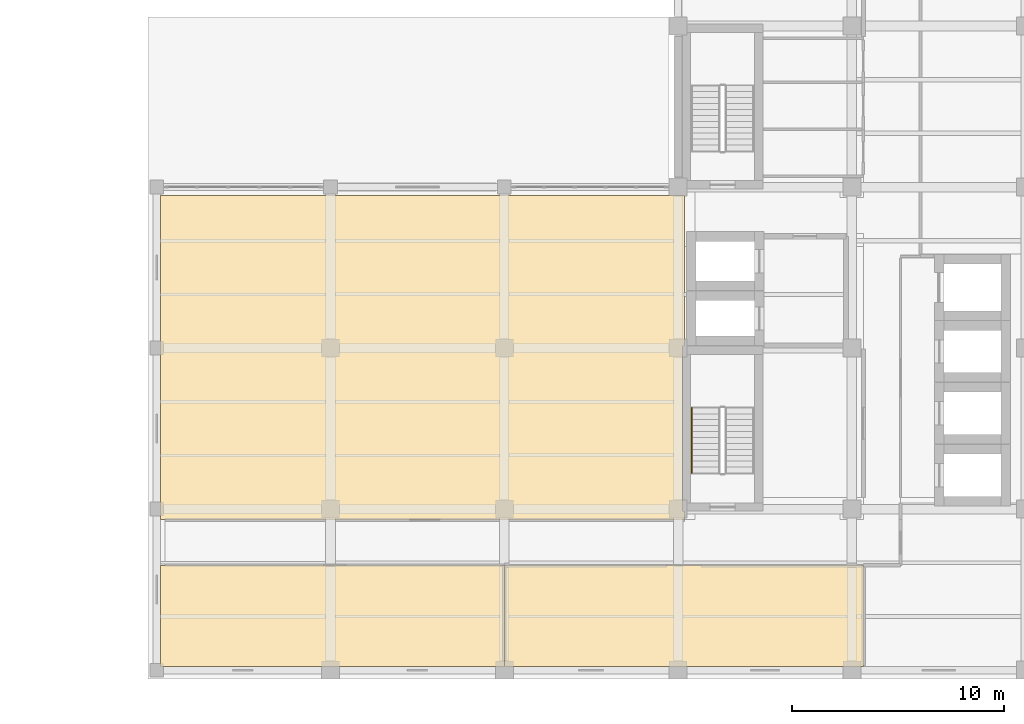
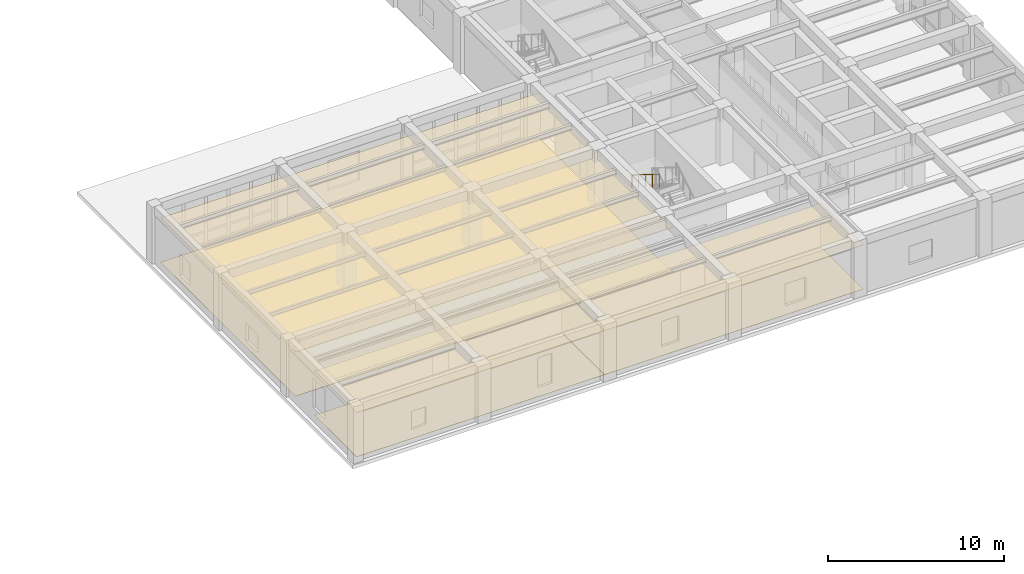
# One storey, part 17 of 22: 6 coverings, 1 railing.
"""IFC4 building model written with IfcOpenShell, lengths in metres."""

import ifcopenshell
import ifcopenshell.guid

model = None  # the IFC model being written
_history = None  # IfcOwnerHistory: only IFC2X3 demands one
_inside = {}  # id of a spatial element -> (the spatial element, [elements in it])
_under = {}  # id of a project, library or spatial element -> (it, [spatial elements below it])
_declared = {}  # id of a project -> (the project, [libraries it declares])
_typed = {}  # id of a type object -> (the type object, [elements of that type])
_made_of = {}  # id of a material, layer set ... -> (it, [elements and type objects made of it])


def new_model(schema):
    """Start an empty IFC model of exactly this schema.

    Asked for "IFC4X3", IfcOpenShell would pick the latest addendum, in which some entities
    have other attributes; the version numbers below select the first issue.
    IFC2X3 requires an IfcOwnerHistory on every rooted entity: one is made here for all.
    """
    global model, _history
    if schema == "IFC4X3":
        model = ifcopenshell.file(schema_version=(4, 3, 0, 0))
    else:
        model = ifcopenshell.file(schema=schema)
    _inside.clear()
    _under.clear()
    _declared.clear()
    _typed.clear()
    _made_of.clear()
    _history = None
    if model.schema == "IFC2X3":
        org = make("IfcOrganization", Name="unknown")
        user = make(
            "IfcPersonAndOrganization",
            ThePerson=make("IfcPerson", FamilyName="unknown"),
            TheOrganization=org,
        )
        app = make(
            "IfcApplication",
            ApplicationDeveloper=org,
            Version="unknown",
            ApplicationFullName="unknown",
            ApplicationIdentifier="unknown",
        )
        _history = make(
            "IfcOwnerHistory",
            OwningUser=user,
            OwningApplication=app,
            ChangeAction="ADDED",
            CreationDate=0,
        )
    return model


def make(cls, **values):
    """One entity of the class cls with the attributes given. An attribute that is None is left unset."""
    return model.create_entity(
        cls, **{name: value for name, value in values.items() if value is not None}
    )


def rooted(cls, **values):
    """An entity with a GlobalId (a new one), such as an element, a storey or a relation."""
    return make(cls, GlobalId=ifcopenshell.guid.new(), OwnerHistory=_history, **values)


def si_unit(unit_type, name, prefix=None):
    """IfcSIUnit, for example si_unit("LENGTHUNIT", "METRE", prefix="MILLI")."""
    return make("IfcSIUnit", UnitType=unit_type, Prefix=prefix, Name=name)


def assignment(units):
    """IfcUnitAssignment: the units of a project."""
    return None if units is None else make("IfcUnitAssignment", Units=units)


def point(xyz):
    """IfcCartesianPoint."""
    return None if xyz is None else make("IfcCartesianPoint", Coordinates=xyz)


def direction(xyz):
    """IfcDirection."""
    return None if xyz is None else make("IfcDirection", DirectionRatios=xyz)


def frame(location, z_axis=None, x_axis=None):
    """IfcAxis2Placement3D, a coordinate frame: its origin and axes. An axis left out is left unset."""
    return make(
        "IfcAxis2Placement3D",
        Location=point(location),
        Axis=direction(z_axis),
        RefDirection=direction(x_axis),
    )


def frame_2d(location, x_axis=None):
    """IfcAxis2Placement2D, a coordinate frame in the plane: its origin and x axis."""
    return make(
        "IfcAxis2Placement2D", Location=point(location), RefDirection=direction(x_axis)
    )


def origin():
    """The frame at (0, 0, 0) with its axes left unset."""
    return frame((0.0, 0.0, 0.0))


def origin_2d():
    """The frame at (0, 0) in the plane with its x axis left unset."""
    return frame_2d((0.0, 0.0))


def place(relative_to, where):
    """IfcLocalPlacement: puts the frame where relative to a parent placement (None: the world)."""
    return make(
        "IfcLocalPlacement", PlacementRelTo=relative_to, RelativePlacement=where
    )


def context(
    kind, dimensions, precision=None, world=None, true_north=None, identifier=None
):
    """IfcGeometricRepresentationContext, for example the 3D "Model" context."""
    return make(
        "IfcGeometricRepresentationContext",
        ContextIdentifier=identifier,
        ContextType=kind,
        CoordinateSpaceDimension=dimensions,
        Precision=precision,
        WorldCoordinateSystem=world,
        TrueNorth=true_north,
    )


def subcontext(parent, identifier, kind, view, scale=None):
    """IfcGeometricRepresentationSubContext, for example "Body" below "Model"."""
    return make(
        "IfcGeometricRepresentationSubContext",
        ContextIdentifier=identifier,
        ContextType=kind,
        ParentContext=parent,
        TargetScale=scale,
        TargetView=view,
    )


def project(units=None, contexts=None):
    """IfcProject with its units and contexts."""
    return rooted(
        "IfcProject",
        Name="project",
        RepresentationContexts=contexts,
        UnitsInContext=assignment(units),
    )


def spatial(cls, under=None, at=None, **own):
    """A site, building, storey or space (cls), placed at a placement, below another one or the project."""
    s = rooted(cls, ObjectPlacement=at, **own)
    if under is not None:
        _under.setdefault(under.id(), (under, []))[1].append(s)
    return s


def polyline(points):
    """IfcPolyline through the points."""
    return make("IfcPolyline", Points=[point(p) for p in points])


def profile(cls, at=None, kind="AREA", **sizes):
    """A parametric profile (cls). Its sizes go by their IFC names, for example OverallWidth=200.0."""
    return make(cls, ProfileType=kind, Position=at, **sizes)


def circle(**sizes):
    """IfcCircleProfileDef."""
    return profile("IfcCircleProfileDef", **sizes)


def outline(outer, holes=None, kind="AREA"):
    """IfcArbitraryClosedProfileDef: a profile drawn as a closed curve; with holes, ...WithVoids."""
    if holes is None:
        return make("IfcArbitraryClosedProfileDef", ProfileType=kind, OuterCurve=outer)
    return make(
        "IfcArbitraryProfileDefWithVoids",
        ProfileType=kind,
        OuterCurve=outer,
        InnerCurves=holes,
    )


def extrude(swept, where, along, depth):
    """IfcExtrudedAreaSolid: the profile swept, set in the frame where, extruded along a direction by depth."""
    return make(
        "IfcExtrudedAreaSolid",
        SweptArea=swept,
        Position=where,
        ExtrudedDirection=direction(along),
        Depth=depth,
    )


def shape(context_of_items, identifier, shape_type, items):
    """IfcShapeRepresentation: the items that make up one representation, for example the "Body"."""
    return make(
        "IfcShapeRepresentation",
        ContextOfItems=context_of_items,
        RepresentationIdentifier=identifier,
        RepresentationType=shape_type,
        Items=items,
    )


def material(Name=None, Category=None):
    """IfcMaterial."""
    return make("IfcMaterial", Name=Name, Category=Category)


def layer(
    of_material, thickness, ventilated=None, Name=None, Category=None, Priority=None
):
    """IfcMaterialLayer: one layer of a wall or slab, of a material (None: an air gap)."""
    return make(
        "IfcMaterialLayer",
        Material=of_material,
        LayerThickness=thickness,
        IsVentilated=ventilated,
        Name=Name,
        Category=Category,
        Priority=Priority,
    )


def layer_set(layers, Name=None):
    """IfcMaterialLayerSet."""
    return make("IfcMaterialLayerSet", MaterialLayers=layers, LayerSetName=Name)


def made_of(thing, what):
    """Note that an element or type object is made of a material, layer set ...; save() writes the relation."""
    if what is not None:
        _made_of.setdefault(what.id(), (what, []))[1].append(thing)
    return thing


def type_object(cls, material=None, **own):
    """A type object (cls), such as IfcWallType, which elements share."""
    return made_of(rooted(cls, **own), material)


def element(
    cls,
    number,
    at=None,
    inside=None,
    cuts=None,
    type_object=None,
    material=None,
    context=None,
    identifier="Body",
    shape_type=None,
    held_by="IfcProductDefinitionShape",
    body=None,
    shapes=None,
    **own,
):
    """One element of the class cls, such as IfcWall. Its Tag is "e" and its number.

    at: its placement. inside: the storey or other place that contains it. cuts: it is an
    opening in that element (IfcRelVoidsElement). A single representation is given by context,
    identifier, shape_type and body (its items); several are given by shapes. held_by: the class
    of the entity that holds the representations. save() writes the other relations.
    """
    e = rooted(cls, Tag="e%d" % number, ObjectPlacement=at, **own)
    if body is not None:
        shapes = [shape(context, identifier, shape_type, body)]
    if shapes is not None:
        e.Representation = make(held_by, Representations=shapes)
    if inside is not None:
        _inside.setdefault(inside.id(), (inside, []))[1].append(e)
    if cuts is not None:
        rooted(
            "IfcRelVoidsElement", RelatingBuildingElement=cuts, RelatedOpeningElement=e
        )
    if type_object is not None:
        _typed.setdefault(type_object.id(), (type_object, []))[1].append(e)
    return made_of(e, material)


def aggregate(whole, parts):
    """IfcRelAggregates: a whole, such as a stair, and the parts it consists of."""
    return rooted("IfcRelAggregates", RelatingObject=whole, RelatedObjects=parts)


def save(model, path):
    """Write the relations noted so far, then the file.

    IfcRelAggregates (storeys below a building ...), IfcRelContainedInSpatialStructure (elements
    in a storey), IfcRelDefinesByType, IfcRelAssociatesMaterial and IfcRelDeclares: one each for
    every whole, place, type object, material and project.
    """
    for whole, parts in _under.values():
        aggregate(whole, parts)
    for where, things in _inside.values():
        rooted(
            "IfcRelContainedInSpatialStructure",
            RelatedElements=things,
            RelatingStructure=where,
        )
    for kind, things in _typed.values():
        rooted("IfcRelDefinesByType", RelatedObjects=things, RelatingType=kind)
    for what, things in _made_of.values():
        rooted("IfcRelAssociatesMaterial", RelatedObjects=things, RelatingMaterial=what)
    for by, libraries in _declared.values():
        rooted("IfcRelDeclares", RelatingContext=by, RelatedDefinitions=libraries)
    model.write(path)


model = new_model("IFC4")

# Units and contexts
model_context = context("Model", 3, precision=1e-05, world=origin(), true_north=direction((0.0, 1.0)))
body_context = subcontext(model_context, "Body", "Model", "MODEL_VIEW")
ifc_project = project(units=[si_unit("LENGTHUNIT", "METRE"), si_unit("AREAUNIT", "SQUARE_METRE"), si_unit("VOLUMEUNIT", "CUBIC_METRE"), si_unit("PLANEANGLEUNIT", "RADIAN"), si_unit("MASSUNIT", "GRAM", prefix="KILO")], contexts=[model_context])

# Site, building, storey
site_placement = place(None, origin())
site = spatial("IfcSite", under=ifc_project, at=site_placement, CompositionType="ELEMENT")
building_placement = place(site_placement, origin())
building = spatial("IfcBuilding", under=site, at=building_placement, Name="Qandaris Square Conservatory and Botanical Centre", CompositionType="ELEMENT")
storey_placement = place(building_placement, frame((0.0, 0.0, 19.800048828125)))
storey = spatial("IfcBuildingStorey", under=building, at=storey_placement, Name="L04", CompositionType="ELEMENT", Elevation=19.800048828125)

# Coverings
ifc_material_1 = material(Name="Gypsum Plasterboard", Category="gypsum")
ifc_layer_1 = layer(ifc_material_1, 0.02490234375)
ifc_layer_set_1 = layer_set([ifc_layer_1], Name="Gypsum Plasterboard")
covering_type_1 = type_object("IfcCoveringType", Name="Perforated Acoustic Lab Ceiling Tile", PredefinedType="CEILING", material=ifc_layer_set_1)
covering_1_placement = place(storey_placement, frame((0.0, 0.0, 3.050048828125)))
element("IfcCovering", 1, at=covering_1_placement, inside=storey, type_object=covering_type_1, Name="Halophyte Salt-Tolerance Research Laboratory Ceiling", PredefinedType="CEILING", context=body_context, shape_type="SweptSolid", body=[
    extrude(outline(polyline([(115.0, 21.550048828125), (131.0, 21.550048828125), (131.0, 16.780029296875), (114.780029296875, 16.780029296875), (114.780029296875, 21.550048828125), (115.0, 21.550048828125)])), origin(), (0.0, 0.0, 1.0), 0.02490234375),
])
covering_2_placement = place(storey_placement, frame((0.0, 0.0, 3.050048828125)))
element("IfcCovering", 2, at=covering_2_placement, inside=storey, type_object=covering_type_1, Name="Ethnobotany Herbarium Suite Ceiling", PredefinedType="CEILING", context=body_context, shape_type="SweptSolid", body=[
    extrude(outline(polyline([(147.949951171875, 21.550048828125), (147.949951171875, 16.780029296875), (131.0, 16.780029296875), (131.0, 21.550048828125), (147.949951171875, 21.550048828125)])), origin(), (0.0, 0.0, 1.0), 0.02490234375),
])
covering_3_placement = place(storey_placement, frame((0.0, 0.0, 3.050048828125)))
element("IfcCovering", 3, at=covering_3_placement, inside=storey, type_object=covering_type_1, Name="Spore Viability Research Laboratory Ceiling", PredefinedType="CEILING", context=body_context, shape_type="SweptSolid", body=[
    extrude(outline(polyline([(139.5, 31.89990234375), (139.39990234375, 31.89990234375), (139.39990234375, 24.10009765625), (139.5, 24.10009765625), (139.5, 23.699951171875), (115.0, 23.699951171875), (114.780029296875, 23.699951171875), (114.780029296875, 39.0), (139.5, 39.0), (139.5, 31.89990234375)])), origin(), (0.0, 0.0, 1.0), 0.02490234375),
])
ifc_material_2 = material(Name="Epoxy Resin Screed", Category="finish")
ifc_layer_2 = layer(ifc_material_2, 0.014892578125)
ifc_layer_set_2 = layer_set([ifc_layer_2], Name="Epoxy Resin Screed")
covering_type_2 = type_object("IfcCoveringType", Name="Seamless Epoxy Laboratory Flooring", PredefinedType="FLOORING", material=ifc_layer_set_2)
covering_4_placement = place(storey_placement, origin())
element("IfcCovering", 4, at=covering_4_placement, inside=storey, type_object=covering_type_2, Name="Halophyte Salt-Tolerance Research Laboratory Flooring", PredefinedType="FLOORING", context=body_context, shape_type="SweptSolid", body=[
    extrude(outline(polyline([(115.0, 21.550048828125), (131.0, 21.550048828125), (131.0, 16.780029296875), (114.780029296875, 16.780029296875), (114.780029296875, 21.550048828125), (115.0, 21.550048828125)])), origin(), (0.0, 0.0, 1.0), 0.014892578125),
])
covering_5_placement = place(storey_placement, origin())
element("IfcCovering", 5, at=covering_5_placement, inside=storey, type_object=covering_type_2, Name="Ethnobotany Herbarium Suite Flooring", PredefinedType="FLOORING", context=body_context, shape_type="SweptSolid", body=[
    extrude(outline(polyline([(147.949951171875, 21.550048828125), (147.949951171875, 16.780029296875), (131.0, 16.780029296875), (131.0, 21.550048828125), (147.949951171875, 21.550048828125)])), origin(), (0.0, 0.0, 1.0), 0.014892578125),
])
covering_6_placement = place(storey_placement, origin())
element("IfcCovering", 6, at=covering_6_placement, inside=storey, type_object=covering_type_2, Name="Spore Viability Research Laboratory Flooring", PredefinedType="FLOORING", context=body_context, shape_type="SweptSolid", body=[
    extrude(outline(polyline([(139.5, 31.89990234375), (139.39990234375, 31.89990234375), (139.39990234375, 24.10009765625), (139.5, 24.10009765625), (139.5, 23.699951171875), (115.0, 23.699951171875), (114.780029296875, 23.699951171875), (114.780029296875, 39.0), (139.5, 39.0), (139.5, 31.89990234375)])), origin(), (0.0, 0.0, 1.0), 0.014892578125),
])

# Railing
ifc_material_3 = material(Name="Stainless Steel", Category="steel")
railing_type = type_object("IfcRailingType", Name="Stair Tubular Handrail 920mm", PredefinedType="HANDRAIL", material=ifc_material_3)
railing_placement = place(storey_placement, frame((139.85009765625, 28.97998046875, 2.449951171875)))
element("IfcRailing", 7, at=railing_placement, inside=storey, type_object=railing_type, Name="L04 ST-1 stair handrail 2", PredefinedType="HANDRAIL", context=body_context, shape_type="SweptSolid", body=[
    extrude(circle(Radius=0.02392578125, at=origin_2d()), frame((0.0, 0.0, 0.89599609375), z_axis=(0.0, -0.847998304005, 0.529998940003), x_axis=(1.0, 0.0, 0.0)), (0.0, 0.0, 1.0), 3.632080078125),
    extrude(circle(Radius=0.02099609375, at=origin_2d()), origin(), (0.0, 0.0, 1.0), 0.871826171875),
    extrude(circle(Radius=0.02099609375, at=origin_2d()), frame((0.0, -0.77001953125, 0.481201171875)), (0.0, 0.0, 1.0), 0.871826171875),
    extrude(circle(Radius=0.02099609375, at=origin_2d()), frame((0.0, -1.5400390625, 0.96240234375)), (0.0, 0.0, 1.0), 0.871826171875),
    extrude(circle(Radius=0.02099609375, at=origin_2d()), frame((0.0, -2.31005859375, 1.44384765625)), (0.0, 0.0, 1.0), 0.871826171875),
    extrude(circle(Radius=0.02099609375, at=origin_2d()), frame((0.0, -3.080078125, 1.925048828125)), (0.0, 0.0, 1.0), 0.871826171875),
])

save(model, "model.ifc")
